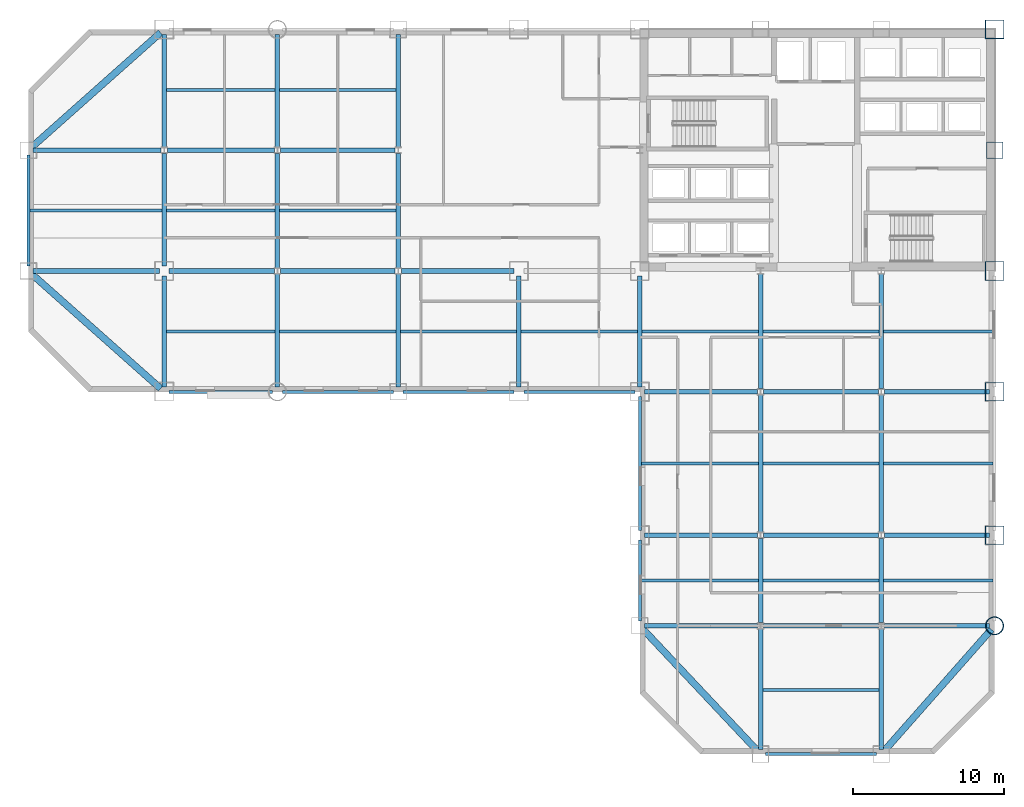
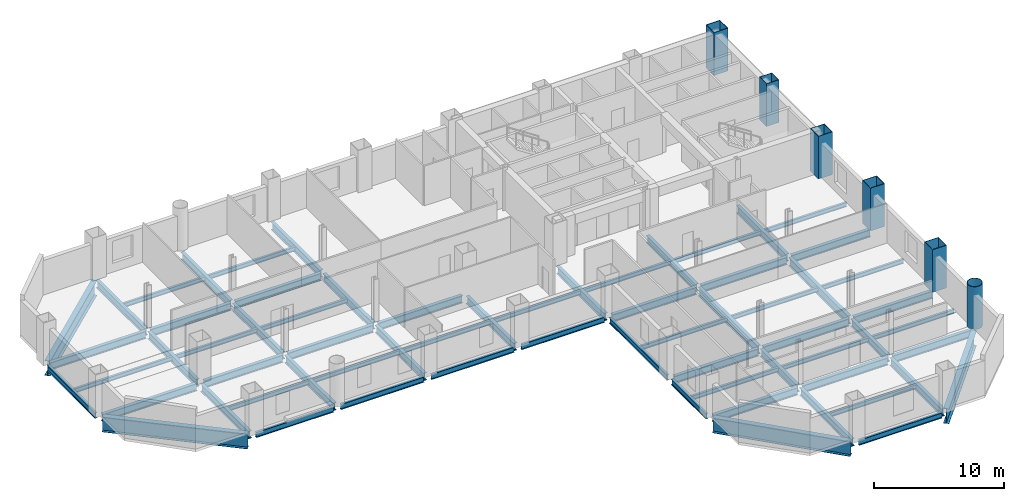
# One storey, part 3 of 9: 66 beams, 6 columns.
"""IFC4 building model written with IfcOpenShell, lengths in metres."""

from ifc_helpers import new_model, si_unit, direction, frame, origin, origin_2d, place, context, subcontext, project, spatial, hollow_rectangle, hollow_circle, i_section, extrude, material, material_profile, profile_set, type_object, element, save


model = new_model("IFC4")

# Units and contexts
model_context = context("Model", 3, precision=1e-05, world=origin(), true_north=direction((0.0, 1.0)))
body_context = subcontext(model_context, "Body", "Model", "MODEL_VIEW")
ifc_project = project(units=[si_unit("LENGTHUNIT", "METRE"), si_unit("AREAUNIT", "SQUARE_METRE"), si_unit("VOLUMEUNIT", "CUBIC_METRE"), si_unit("PLANEANGLEUNIT", "RADIAN"), si_unit("MASSUNIT", "GRAM", prefix="KILO")], contexts=[model_context])

# Site, building, storey
site_placement = place(None, origin())
site = spatial("IfcSite", under=ifc_project, at=site_placement, CompositionType="ELEMENT")
building_placement = place(site_placement, origin())
building = spatial("IfcBuilding", under=site, at=building_placement, Name="Qianrong Seaharbour Tower", CompositionType="ELEMENT")
storey_placement = place(building_placement, frame((0.0, 0.0, 88.199951171875)))
storey = spatial("IfcBuildingStorey", under=building, at=storey_placement, Name="L21", CompositionType="ELEMENT", Elevation=88.199951171875)

# Columns
ifc_material_1 = material(Name="Structural steel SN490B", Category="steel")
ifc_material_profile_1 = material_profile(ifc_material_1, hollow_rectangle(XDim=1.25, YDim=1.25, WallThickness=0.044921875, at=origin_2d()), Name="BOX1250x1250x45")
ifc_profile_set_1 = profile_set([ifc_material_profile_1], Name="Structural steel SN490B")
column_type_1 = type_object("IfcColumnType", Name="COL-CFT-1250", PredefinedType="COLUMN", material=ifc_profile_set_1)
for number, where, z_axis, x_axis, name in (
    (1, (64.0, 18.5, 0.0), (0.0, 0.0, 1.0), (1.0, 0.0, 0.0), "L21 Column MC-2 at G9/GD"),
    (2, (64.0, 28.0, 0.0), (0.0, 0.0, 1.0), (1.0, 0.0, 0.0), "L21 Column MC-2 at G9/GE"),
    (3, (64.0, 36.0, 0.0), (0.0, 0.0, 1.0), (1.0, 0.0, 0.0), "L21 Column MC-2 at G9/GF"),
    (4, (64.0, 52.0, 0.0), (0.0, 0.0, 1.0), (1.0, 0.0, 0.0), "L21 Column MC-2 at G9/GH"),
):
    element("IfcColumn", number, at=place(storey_placement, frame(where, z_axis=z_axis, x_axis=x_axis)), inside=storey, type_object=column_type_1, Name=name, PredefinedType="COLUMN", context=body_context, shape_type="SweptSolid", body=[
        extrude(hollow_rectangle(XDim=1.25, YDim=1.25, WallThickness=0.044921875, at=origin_2d()), origin(), (0.0, 0.0, 1.0), 4.0),
    ])
ifc_material_profile_2 = material_profile(ifc_material_1, hollow_circle(Radius=0.60009765625, WallThickness=0.0400390625, at=origin_2d()), Name="CHS1200x40")
ifc_profile_set_2 = profile_set([ifc_material_profile_2], Name="Structural steel SN490B")
column_type_2 = type_object("IfcColumnType", Name="COL-CHS-1200", PredefinedType="COLUMN", material=ifc_profile_set_2)
column_1_placement = place(storey_placement, frame((64.0, 12.5, 0.0), z_axis=(0.0, 0.0, 1.0), x_axis=(1.0, 0.0, 0.0)))
element("IfcColumn", 5, at=column_1_placement, inside=storey, type_object=column_type_2, Name="L21 Column CC-1 at G9/GC", PredefinedType="COLUMN", context=body_context, shape_type="SweptSolid", body=[
    extrude(hollow_circle(Radius=0.60009765625, WallThickness=0.0400390625, at=origin_2d()), origin(), (0.0, 0.0, 1.0), 4.0),
])
ifc_material_profile_3 = material_profile(ifc_material_1, hollow_rectangle(XDim=1.10009765625, YDim=1.10009765625, WallThickness=0.0400390625, at=origin_2d()), Name="BOX1100x1100x40")
ifc_profile_set_3 = profile_set([ifc_material_profile_3], Name="Structural steel SN490B")
column_type_3 = type_object("IfcColumnType", Name="COL-PER-1100", PredefinedType="COLUMN", material=ifc_profile_set_3)
column_2_placement = place(storey_placement, frame((64.0, 44.0, 0.0), z_axis=(0.0, 0.0, 1.0), x_axis=(1.0, 0.0, 0.0)))
element("IfcColumn", 6, at=column_2_placement, inside=storey, type_object=column_type_3, Name="L21 Column PC-1 at G9/GG", PredefinedType="COLUMN", context=body_context, shape_type="SweptSolid", body=[
    extrude(hollow_rectangle(XDim=1.10009765625, YDim=1.10009765625, WallThickness=0.0400390625, at=origin_2d()), origin(), (0.0, 0.0, 1.0), 4.0),
])

# Beams
ifc_material_profile_4 = material_profile(ifc_material_1, i_section(OverallWidth=0.300048828125, OverallDepth=0.699951171875, WebThickness=0.012939453125, FlangeThickness=0.02392578125, FilletRadius=0.02587890625, at=origin_2d()), Name="H700x300x13x24")
ifc_profile_set_4 = profile_set([ifc_material_profile_4], Name="Structural steel SN490B")
beam_type_1 = type_object("IfcBeamType", Name="BM-G-700", PredefinedType="BEAM", material=ifc_profile_set_4)
beam_1_placement = place(storey_placement, frame((40.820068359375, 12.5, -0.599853515625), z_axis=(1.0, 0.0, 0.0), x_axis=(0.0, 1.0, 0.0)))
element("IfcBeam", 7, at=beam_1_placement, inside=storey, type_object=beam_type_1, Name="L21 Primary Girder GC G6-G7", PredefinedType="BEAM", context=body_context, shape_type="SweptSolid", body=[
    extrude(i_section(OverallWidth=0.300048828125, OverallDepth=0.699951171875, WebThickness=0.012939453125, FlangeThickness=0.02392578125, FilletRadius=0.02587890625, at=origin_2d()), origin(), (0.0, 0.0, 1.0), 7.476318359375),
])
beam_2_placement = place(storey_placement, frame((48.70361328125, 12.5, -0.599853515625), z_axis=(1.0, 0.0, 0.0), x_axis=(0.0, 1.0, 0.0)))
element("IfcBeam", 8, at=beam_2_placement, inside=storey, type_object=beam_type_1, Name="L21 Primary Girder GC G7-G8", PredefinedType="BEAM", context=body_context, shape_type="SweptSolid", body=[
    extrude(i_section(OverallWidth=0.300048828125, OverallDepth=0.699951171875, WebThickness=0.012939453125, FlangeThickness=0.02392578125, FilletRadius=0.02587890625, at=origin_2d()), origin(), (0.0, 0.0, 1.0), 7.5927734375),
])
beam_3_placement = place(storey_placement, frame((56.70361328125, 12.5, -0.599853515625), z_axis=(1.0, 0.0, 0.0), x_axis=(0.0, 1.0, 0.0)))
element("IfcBeam", 9, at=beam_3_placement, inside=storey, type_object=beam_type_1, Name="L21 Primary Girder GC G8-G9", PredefinedType="BEAM", context=body_context, shape_type="SweptSolid", body=[
    extrude(i_section(OverallWidth=0.300048828125, OverallDepth=0.699951171875, WebThickness=0.012939453125, FlangeThickness=0.02392578125, FilletRadius=0.02587890625, at=origin_2d()), origin(), (0.0, 0.0, 1.0), 6.976318359375),
])
beam_4_placement = place(storey_placement, frame((40.820068359375, 18.5, -0.599853515625), z_axis=(1.0, 0.0, 0.0), x_axis=(0.0, 1.0, 0.0)))
element("IfcBeam", 10, at=beam_4_placement, inside=storey, type_object=beam_type_1, Name="L21 Primary Girder GD G6-G7", PredefinedType="BEAM", context=body_context, shape_type="SweptSolid", body=[
    extrude(i_section(OverallWidth=0.300048828125, OverallDepth=0.699951171875, WebThickness=0.012939453125, FlangeThickness=0.02392578125, FilletRadius=0.02587890625, at=origin_2d()), origin(), (0.0, 0.0, 1.0), 7.476318359375),
])
beam_5_placement = place(storey_placement, frame((48.70361328125, 18.5, -0.599853515625), z_axis=(1.0, 0.0, 0.0), x_axis=(0.0, 1.0, 0.0)))
element("IfcBeam", 11, at=beam_5_placement, inside=storey, type_object=beam_type_1, Name="L21 Primary Girder GD G7-G8", PredefinedType="BEAM", context=body_context, shape_type="SweptSolid", body=[
    extrude(i_section(OverallWidth=0.300048828125, OverallDepth=0.699951171875, WebThickness=0.012939453125, FlangeThickness=0.02392578125, FilletRadius=0.02587890625, at=origin_2d()), origin(), (0.0, 0.0, 1.0), 7.5927734375),
])
beam_6_placement = place(storey_placement, frame((56.70361328125, 18.5, -0.599853515625), z_axis=(1.0, 0.0, 0.0), x_axis=(0.0, 1.0, 0.0)))
element("IfcBeam", 12, at=beam_6_placement, inside=storey, type_object=beam_type_1, Name="L21 Primary Girder GD G8-G9", PredefinedType="BEAM", context=body_context, shape_type="SweptSolid", body=[
    extrude(i_section(OverallWidth=0.300048828125, OverallDepth=0.699951171875, WebThickness=0.012939453125, FlangeThickness=0.02392578125, FilletRadius=0.02587890625, at=origin_2d()), origin(), (0.0, 0.0, 1.0), 6.976318359375),
])
beam_7_placement = place(storey_placement, frame((40.820068359375, 28.0, -0.599853515625), z_axis=(1.0, 0.0, 0.0), x_axis=(0.0, 1.0, 0.0)))
element("IfcBeam", 13, at=beam_7_placement, inside=storey, type_object=beam_type_1, Name="L21 Primary Girder GE G6-G7", PredefinedType="BEAM", context=body_context, shape_type="SweptSolid", body=[
    extrude(i_section(OverallWidth=0.300048828125, OverallDepth=0.699951171875, WebThickness=0.012939453125, FlangeThickness=0.02392578125, FilletRadius=0.02587890625, at=origin_2d()), origin(), (0.0, 0.0, 1.0), 7.476318359375),
])
beam_8_placement = place(storey_placement, frame((48.70361328125, 28.0, -0.599853515625), z_axis=(1.0, 0.0, 0.0), x_axis=(0.0, 1.0, 0.0)))
element("IfcBeam", 14, at=beam_8_placement, inside=storey, type_object=beam_type_1, Name="L21 Primary Girder GE G7-G8", PredefinedType="BEAM", context=body_context, shape_type="SweptSolid", body=[
    extrude(i_section(OverallWidth=0.300048828125, OverallDepth=0.699951171875, WebThickness=0.012939453125, FlangeThickness=0.02392578125, FilletRadius=0.02587890625, at=origin_2d()), origin(), (0.0, 0.0, 1.0), 7.5927734375),
])
beam_9_placement = place(storey_placement, frame((56.70361328125, 28.0, -0.599853515625), z_axis=(1.0, 0.0, 0.0), x_axis=(0.0, 1.0, 0.0)))
element("IfcBeam", 15, at=beam_9_placement, inside=storey, type_object=beam_type_1, Name="L21 Primary Girder GE G8-G9", PredefinedType="BEAM", context=body_context, shape_type="SweptSolid", body=[
    extrude(i_section(OverallWidth=0.300048828125, OverallDepth=0.699951171875, WebThickness=0.012939453125, FlangeThickness=0.02392578125, FilletRadius=0.02587890625, at=origin_2d()), origin(), (0.0, 0.0, 1.0), 6.976318359375),
])
beam_10_placement = place(storey_placement, frame((0.320068359375, 36.0, -0.599853515625), z_axis=(1.0, 0.0, 0.0), x_axis=(0.0, 1.0, 0.0)))
element("IfcBeam", 16, at=beam_10_placement, inside=storey, type_object=beam_type_1, Name="L21 Primary Girder GF G1-G2", PredefinedType="BEAM", context=body_context, shape_type="SweptSolid", body=[
    extrude(i_section(OverallWidth=0.300048828125, OverallDepth=0.699951171875, WebThickness=0.012939453125, FlangeThickness=0.02392578125, FilletRadius=0.02587890625, at=origin_2d()), origin(), (0.0, 0.0, 1.0), 8.35986328125),
])
beam_11_placement = place(storey_placement, frame((9.320068359375, 36.0, -0.599853515625), z_axis=(1.0, 0.0, 0.0), x_axis=(0.0, 1.0, 0.0)))
element("IfcBeam", 17, at=beam_11_placement, inside=storey, type_object=beam_type_1, Name="L21 Primary Girder GF G2-G3", PredefinedType="BEAM", context=body_context, shape_type="SweptSolid", body=[
    extrude(i_section(OverallWidth=0.300048828125, OverallDepth=0.699951171875, WebThickness=0.012939453125, FlangeThickness=0.02392578125, FilletRadius=0.02587890625, at=origin_2d()), origin(), (0.0, 0.0, 1.0), 6.976318359375),
])
beam_12_placement = place(storey_placement, frame((16.70361328125, 36.0, -0.599853515625), z_axis=(1.0, 0.0, 0.0), x_axis=(0.0, 1.0, 0.0)))
element("IfcBeam", 18, at=beam_12_placement, inside=storey, type_object=beam_type_1, Name="L21 Primary Girder GF G3-G4", PredefinedType="BEAM", context=body_context, shape_type="SweptSolid", body=[
    extrude(i_section(OverallWidth=0.300048828125, OverallDepth=0.699951171875, WebThickness=0.012939453125, FlangeThickness=0.02392578125, FilletRadius=0.02587890625, at=origin_2d()), origin(), (0.0, 0.0, 1.0), 7.5927734375),
])
beam_13_placement = place(storey_placement, frame((24.70361328125, 36.0, -0.599853515625), z_axis=(1.0, 0.0, 0.0), x_axis=(0.0, 1.0, 0.0)))
element("IfcBeam", 19, at=beam_13_placement, inside=storey, type_object=beam_type_1, Name="L21 Primary Girder GF G4-G5", PredefinedType="BEAM", context=body_context, shape_type="SweptSolid", body=[
    extrude(i_section(OverallWidth=0.300048828125, OverallDepth=0.699951171875, WebThickness=0.012939453125, FlangeThickness=0.02392578125, FilletRadius=0.02587890625, at=origin_2d()), origin(), (0.0, 0.0, 1.0), 7.476318359375),
])
beam_14_placement = place(storey_placement, frame((0.320068359375, 44.0, -0.599853515625), z_axis=(1.0, 0.0, 0.0), x_axis=(0.0, 1.0, 0.0)))
element("IfcBeam", 20, at=beam_14_placement, inside=storey, type_object=beam_type_1, Name="L21 Primary Girder GG G1-G2", PredefinedType="BEAM", context=body_context, shape_type="SweptSolid", body=[
    extrude(i_section(OverallWidth=0.300048828125, OverallDepth=0.699951171875, WebThickness=0.012939453125, FlangeThickness=0.02392578125, FilletRadius=0.02587890625, at=origin_2d()), origin(), (0.0, 0.0, 1.0), 8.476318359375),
])
beam_15_placement = place(storey_placement, frame((9.20361328125, 44.0, -0.599853515625), z_axis=(1.0, 0.0, 0.0), x_axis=(0.0, 1.0, 0.0)))
element("IfcBeam", 21, at=beam_15_placement, inside=storey, type_object=beam_type_1, Name="L21 Primary Girder GG G2-G3", PredefinedType="BEAM", context=body_context, shape_type="SweptSolid", body=[
    extrude(i_section(OverallWidth=0.300048828125, OverallDepth=0.699951171875, WebThickness=0.012939453125, FlangeThickness=0.02392578125, FilletRadius=0.02587890625, at=origin_2d()), origin(), (0.0, 0.0, 1.0), 7.0927734375),
])
beam_16_placement = place(storey_placement, frame((16.70361328125, 44.0, -0.599853515625), z_axis=(1.0, 0.0, 0.0), x_axis=(0.0, 1.0, 0.0)))
element("IfcBeam", 22, at=beam_16_placement, inside=storey, type_object=beam_type_1, Name="L21 Primary Girder GG G3-G4", PredefinedType="BEAM", context=body_context, shape_type="SweptSolid", body=[
    extrude(i_section(OverallWidth=0.300048828125, OverallDepth=0.699951171875, WebThickness=0.012939453125, FlangeThickness=0.02392578125, FilletRadius=0.02587890625, at=origin_2d()), origin(), (0.0, 0.0, 1.0), 7.5927734375),
])
beam_17_placement = place(storey_placement, frame((9.0, 28.320068359375, -0.599853515625), z_axis=(0.0, 1.0, 0.0), x_axis=(-1.0, 0.0, 0.0)))
element("IfcBeam", 23, at=beam_17_placement, inside=storey, type_object=beam_type_1, Name="L21 Primary Girder G2 GE-GF", PredefinedType="BEAM", context=body_context, shape_type="SweptSolid", body=[
    extrude(i_section(OverallWidth=0.300048828125, OverallDepth=0.699951171875, WebThickness=0.012939453125, FlangeThickness=0.02392578125, FilletRadius=0.02587890625, at=origin_2d()), origin(), (0.0, 0.0, 1.0), 7.35986328125),
])
for number, where, z_axis, x_axis, name in (
    (24, (9.0, 36.320068359375, -0.599853515625), (0.0, 1.0, 0.0), (-1.0, 0.0, 0.0), "L21 Primary Girder G2 GF-GG"),
    (25, (9.0, 44.214111328125, -0.599853515625), (0.0, 1.0, 0.0), (-1.0, 0.0, 0.0), "L21 Primary Girder G2 GG-GH"),
    (26, (16.5, 28.320068359375, -0.599853515625), (0.0, 1.0, 0.0), (-1.0, 0.0, 0.0), "L21 Primary Girder G3 GE-GF"),
):
    element("IfcBeam", number, at=place(storey_placement, frame(where, z_axis=z_axis, x_axis=x_axis)), inside=storey, type_object=beam_type_1, Name=name, PredefinedType="BEAM", context=body_context, shape_type="SweptSolid", body=[
        extrude(i_section(OverallWidth=0.300048828125, OverallDepth=0.699951171875, WebThickness=0.012939453125, FlangeThickness=0.02392578125, FilletRadius=0.02587890625, at=origin_2d()), origin(), (0.0, 0.0, 1.0), 7.4658203125),
    ])
beam_18_placement = place(storey_placement, frame((16.5, 36.214111328125, -0.599853515625), z_axis=(0.0, 1.0, 0.0), x_axis=(-1.0, 0.0, 0.0)))
element("IfcBeam", 27, at=beam_18_placement, inside=storey, type_object=beam_type_1, Name="L21 Primary Girder G3 GF-GG", PredefinedType="BEAM", context=body_context, shape_type="SweptSolid", body=[
    extrude(i_section(OverallWidth=0.300048828125, OverallDepth=0.699951171875, WebThickness=0.012939453125, FlangeThickness=0.02392578125, FilletRadius=0.02587890625, at=origin_2d()), origin(), (0.0, 0.0, 1.0), 7.57177734375),
])
for number, where, z_axis, x_axis, name in (
    (28, (16.5, 44.214111328125, -0.599853515625), (0.0, 1.0, 0.0), (-1.0, 0.0, 0.0), "L21 Primary Girder G3 GG-GH"),
    (29, (24.5, 28.320068359375, -0.599853515625), (0.0, 1.0, 0.0), (-1.0, 0.0, 0.0), "L21 Primary Girder G4 GE-GF"),
):
    element("IfcBeam", number, at=place(storey_placement, frame(where, z_axis=z_axis, x_axis=x_axis)), inside=storey, type_object=beam_type_1, Name=name, PredefinedType="BEAM", context=body_context, shape_type="SweptSolid", body=[
        extrude(i_section(OverallWidth=0.300048828125, OverallDepth=0.699951171875, WebThickness=0.012939453125, FlangeThickness=0.02392578125, FilletRadius=0.02587890625, at=origin_2d()), origin(), (0.0, 0.0, 1.0), 7.4658203125),
    ])
beam_19_placement = place(storey_placement, frame((24.5, 36.214111328125, -0.599853515625), z_axis=(0.0, 1.0, 0.0), x_axis=(-1.0, 0.0, 0.0)))
element("IfcBeam", 30, at=beam_19_placement, inside=storey, type_object=beam_type_1, Name="L21 Primary Girder G4 GF-GG", PredefinedType="BEAM", context=body_context, shape_type="SweptSolid", body=[
    extrude(i_section(OverallWidth=0.300048828125, OverallDepth=0.699951171875, WebThickness=0.012939453125, FlangeThickness=0.02392578125, FilletRadius=0.02587890625, at=origin_2d()), origin(), (0.0, 0.0, 1.0), 7.57177734375),
])
beam_20_placement = place(storey_placement, frame((24.5, 44.214111328125, -0.599853515625), z_axis=(0.0, 1.0, 0.0), x_axis=(-1.0, 0.0, 0.0)))
element("IfcBeam", 31, at=beam_20_placement, inside=storey, type_object=beam_type_1, Name="L21 Primary Girder G4 GG-GH", PredefinedType="BEAM", context=body_context, shape_type="SweptSolid", body=[
    extrude(i_section(OverallWidth=0.300048828125, OverallDepth=0.699951171875, WebThickness=0.012939453125, FlangeThickness=0.02392578125, FilletRadius=0.02587890625, at=origin_2d()), origin(), (0.0, 0.0, 1.0), 7.4658203125),
])
for number, where, z_axis, x_axis, name in (
    (32, (32.5, 28.320068359375, -0.599853515625), (0.0, 1.0, 0.0), (-1.0, 0.0, 0.0), "L21 Primary Girder G5 GE-GF"),
    (33, (40.5, 28.320068359375, -0.599853515625), (0.0, 1.0, 0.0), (-1.0, 0.0, 0.0), "L21 Primary Girder G6 GE-GF"),
):
    element("IfcBeam", number, at=place(storey_placement, frame(where, z_axis=z_axis, x_axis=x_axis)), inside=storey, type_object=beam_type_1, Name=name, PredefinedType="BEAM", context=body_context, shape_type="SweptSolid", body=[
        extrude(i_section(OverallWidth=0.300048828125, OverallDepth=0.699951171875, WebThickness=0.012939453125, FlangeThickness=0.02392578125, FilletRadius=0.02587890625, at=origin_2d()), origin(), (0.0, 0.0, 1.0), 7.35986328125),
    ])
beam_21_placement = place(storey_placement, frame((48.5, 4.320068359375, -0.599853515625), z_axis=(0.0, 1.0, 0.0), x_axis=(-1.0, 0.0, 0.0)))
element("IfcBeam", 34, at=beam_21_placement, inside=storey, type_object=beam_type_1, Name="L21 Primary Girder G7 GB-GC", PredefinedType="BEAM", context=body_context, shape_type="SweptSolid", body=[
    extrude(i_section(OverallWidth=0.300048828125, OverallDepth=0.699951171875, WebThickness=0.012939453125, FlangeThickness=0.02392578125, FilletRadius=0.02587890625, at=origin_2d()), origin(), (0.0, 0.0, 1.0), 7.9658203125),
])
beam_22_placement = place(storey_placement, frame((48.5, 12.714111328125, -0.599853515625), z_axis=(0.0, 1.0, 0.0), x_axis=(-1.0, 0.0, 0.0)))
element("IfcBeam", 35, at=beam_22_placement, inside=storey, type_object=beam_type_1, Name="L21 Primary Girder G7 GC-GD", PredefinedType="BEAM", context=body_context, shape_type="SweptSolid", body=[
    extrude(i_section(OverallWidth=0.300048828125, OverallDepth=0.699951171875, WebThickness=0.012939453125, FlangeThickness=0.02392578125, FilletRadius=0.02587890625, at=origin_2d()), origin(), (0.0, 0.0, 1.0), 5.57177734375),
])
beam_23_placement = place(storey_placement, frame((48.5, 28.214111328125, -0.599853515625), z_axis=(0.0, 1.0, 0.0), x_axis=(-1.0, 0.0, 0.0)))
element("IfcBeam", 36, at=beam_23_placement, inside=storey, type_object=beam_type_1, Name="L21 Primary Girder G7 GE-GF", PredefinedType="BEAM", context=body_context, shape_type="SweptSolid", body=[
    extrude(i_section(OverallWidth=0.300048828125, OverallDepth=0.699951171875, WebThickness=0.012939453125, FlangeThickness=0.02392578125, FilletRadius=0.02587890625, at=origin_2d()), origin(), (0.0, 0.0, 1.0), 7.57177734375),
])
beam_24_placement = place(storey_placement, frame((56.5, 4.320068359375, -0.599853515625), z_axis=(0.0, 1.0, 0.0), x_axis=(-1.0, 0.0, 0.0)))
element("IfcBeam", 37, at=beam_24_placement, inside=storey, type_object=beam_type_1, Name="L21 Primary Girder G8 GB-GC", PredefinedType="BEAM", context=body_context, shape_type="SweptSolid", body=[
    extrude(i_section(OverallWidth=0.300048828125, OverallDepth=0.699951171875, WebThickness=0.012939453125, FlangeThickness=0.02392578125, FilletRadius=0.02587890625, at=origin_2d()), origin(), (0.0, 0.0, 1.0), 7.9658203125),
])
beam_25_placement = place(storey_placement, frame((56.5, 12.714111328125, -0.599853515625), z_axis=(0.0, 1.0, 0.0), x_axis=(-1.0, 0.0, 0.0)))
element("IfcBeam", 38, at=beam_25_placement, inside=storey, type_object=beam_type_1, Name="L21 Primary Girder G8 GC-GD", PredefinedType="BEAM", context=body_context, shape_type="SweptSolid", body=[
    extrude(i_section(OverallWidth=0.300048828125, OverallDepth=0.699951171875, WebThickness=0.012939453125, FlangeThickness=0.02392578125, FilletRadius=0.02587890625, at=origin_2d()), origin(), (0.0, 0.0, 1.0), 5.57177734375),
])
beam_26_placement = place(storey_placement, frame((56.5, 28.214111328125, -0.599853515625), z_axis=(0.0, 1.0, 0.0), x_axis=(-1.0, 0.0, 0.0)))
element("IfcBeam", 39, at=beam_26_placement, inside=storey, type_object=beam_type_1, Name="L21 Primary Girder G8 GE-GF", PredefinedType="BEAM", context=body_context, shape_type="SweptSolid", body=[
    extrude(i_section(OverallWidth=0.300048828125, OverallDepth=0.699951171875, WebThickness=0.012939453125, FlangeThickness=0.02392578125, FilletRadius=0.02587890625, at=origin_2d()), origin(), (0.0, 0.0, 1.0), 7.57177734375),
])
ifc_material_profile_5 = material_profile(ifc_material_1, i_section(OverallWidth=0.300048828125, OverallDepth=0.800048828125, WebThickness=0.013916015625, FlangeThickness=0.02587890625, FilletRadius=0.028076171875, at=origin_2d()), Name="H800x300x14x26")
ifc_profile_set_5 = profile_set([ifc_material_profile_5], Name="Structural steel SN490B")
beam_type_2 = type_object("IfcBeamType", Name="BM-G-800", PredefinedType="BEAM", material=ifc_profile_set_5)
for number, where, z_axis, x_axis, name in (
    (40, (48.5, 18.714111328125, -0.64990234375), (0.0, 1.0, 0.0), (-1.0, 0.0, 0.0), "L21 Primary Girder G7 GD-GE"),
    (41, (56.5, 18.714111328125, -0.64990234375), (0.0, 1.0, 0.0), (-1.0, 0.0, 0.0), "L21 Primary Girder G8 GD-GE"),
):
    element("IfcBeam", number, at=place(storey_placement, frame(where, z_axis=z_axis, x_axis=x_axis)), inside=storey, type_object=beam_type_2, Name=name, PredefinedType="BEAM", context=body_context, shape_type="SweptSolid", body=[
        extrude(i_section(OverallWidth=0.300048828125, OverallDepth=0.800048828125, WebThickness=0.013916015625, FlangeThickness=0.02587890625, FilletRadius=0.028076171875, at=origin_2d()), origin(), (0.0, 0.0, 1.0), 9.07177734375),
    ])
ifc_material_2 = material(Name="Structural steel SN400B", Category="steel")
ifc_material_profile_6 = material_profile(ifc_material_2, i_section(OverallWidth=0.199951171875, OverallDepth=0.39990234375, WebThickness=0.008056640625, FlangeThickness=0.012939453125, FilletRadius=0.01611328125, at=origin_2d()), Name="H400x200x8x13")
ifc_profile_set_6 = profile_set([ifc_material_profile_6], Name="Structural steel SN400B")
beam_type_3 = type_object("IfcBeamType", Name="BM-J-400", PredefinedType="JOIST", material=ifc_profile_set_6)
beam_27_placement = place(storey_placement, frame((0.10009765625, 40.0, -0.449951171875), z_axis=(1.0, 0.0, 0.0), x_axis=(0.0, 1.0, 0.0)))
element("IfcBeam", 42, at=beam_27_placement, inside=storey, type_object=beam_type_3, Name="L21 Composite Floor Joist G1-G2/GF-GG", PredefinedType="JOIST", context=body_context, shape_type="SweptSolid", body=[
    extrude(i_section(OverallWidth=0.199951171875, OverallDepth=0.39990234375, WebThickness=0.008056640625, FlangeThickness=0.012939453125, FilletRadius=0.01611328125, at=origin_2d()), origin(), (0.0, 0.0, 1.0), 8.75),
])
for number, where, z_axis, x_axis, name in (
    (43, (9.14990234375, 32.0, -0.449951171875), (1.0, 0.0, 0.0), (0.0, 1.0, 0.0), "L21 Composite Floor Joist G2-G3/GE-GF"),
    (44, (9.14990234375, 40.0, -0.449951171875), (1.0, 0.0, 0.0), (0.0, 1.0, 0.0), "L21 Composite Floor Joist G2-G3/GF-GG"),
    (45, (9.14990234375, 48.0, -0.449951171875), (1.0, 0.0, 0.0), (0.0, 1.0, 0.0), "L21 Composite Floor Joist G2-G3/GG-GH"),
):
    element("IfcBeam", number, at=place(storey_placement, frame(where, z_axis=z_axis, x_axis=x_axis)), inside=storey, type_object=beam_type_3, Name=name, PredefinedType="JOIST", context=body_context, shape_type="SweptSolid", body=[
        extrude(i_section(OverallWidth=0.199951171875, OverallDepth=0.39990234375, WebThickness=0.008056640625, FlangeThickness=0.012939453125, FilletRadius=0.01611328125, at=origin_2d()), origin(), (0.0, 0.0, 1.0), 7.2001953125),
    ])
for number, where, z_axis, x_axis, name in (
    (46, (16.64990234375, 32.0, -0.449951171875), (1.0, 0.0, 0.0), (0.0, 1.0, 0.0), "L21 Composite Floor Joist G3-G4/GE-GF"),
    (47, (16.64990234375, 40.0, -0.449951171875), (1.0, 0.0, 0.0), (0.0, 1.0, 0.0), "L21 Composite Floor Joist G3-G4/GF-GG"),
    (48, (16.64990234375, 48.0, -0.449951171875), (1.0, 0.0, 0.0), (0.0, 1.0, 0.0), "L21 Composite Floor Joist G3-G4/GG-GH"),
    (49, (24.64990234375, 32.0, -0.449951171875), (1.0, 0.0, 0.0), (0.0, 1.0, 0.0), "L21 Composite Floor Joist G4-G5/GE-GF"),
    (50, (32.64990234375, 32.0, -0.449951171875), (1.0, 0.0, 0.0), (0.0, 1.0, 0.0), "L21 Composite Floor Joist G5-G6/GE-GF"),
):
    element("IfcBeam", number, at=place(storey_placement, frame(where, z_axis=z_axis, x_axis=x_axis)), inside=storey, type_object=beam_type_3, Name=name, PredefinedType="JOIST", context=body_context, shape_type="SweptSolid", body=[
        extrude(i_section(OverallWidth=0.199951171875, OverallDepth=0.39990234375, WebThickness=0.008056640625, FlangeThickness=0.012939453125, FilletRadius=0.01611328125, at=origin_2d()), origin(), (0.0, 0.0, 1.0), 7.7001953125),
    ])
for number, where, z_axis, x_axis, name in (
    (51, (40.60009765625, 15.5, -0.449951171875), (1.0, 0.0, 0.0), (0.0, 1.0, 0.0), "L21 Composite Floor Joist G6-G7/GC-GD"),
    (52, (40.60009765625, 23.25, -0.449951171875), (1.0, 0.0, 0.0), (0.0, 1.0, 0.0), "L21 Composite Floor Joist G6-G7/GD-GE"),
):
    element("IfcBeam", number, at=place(storey_placement, frame(where, z_axis=z_axis, x_axis=x_axis)), inside=storey, type_object=beam_type_3, Name=name, PredefinedType="JOIST", context=body_context, shape_type="SweptSolid", body=[
        extrude(i_section(OverallWidth=0.199951171875, OverallDepth=0.39990234375, WebThickness=0.008056640625, FlangeThickness=0.012939453125, FilletRadius=0.01611328125, at=origin_2d()), origin(), (0.0, 0.0, 1.0), 7.75),
    ])
for number, where, z_axis, x_axis, name in (
    (53, (40.64990234375, 32.0, -0.449951171875), (1.0, 0.0, 0.0), (0.0, 1.0, 0.0), "L21 Composite Floor Joist G6-G7/GE-GF"),
    (54, (48.64990234375, 8.25, -0.449951171875), (1.0, 0.0, 0.0), (0.0, 1.0, 0.0), "L21 Composite Floor Joist G7-G8/GB-GC"),
    (55, (48.64990234375, 15.5, -0.449951171875), (1.0, 0.0, 0.0), (0.0, 1.0, 0.0), "L21 Composite Floor Joist G7-G8/GC-GD"),
    (56, (48.64990234375, 23.25, -0.449951171875), (1.0, 0.0, 0.0), (0.0, 1.0, 0.0), "L21 Composite Floor Joist G7-G8/GD-GE"),
    (57, (48.64990234375, 32.0, -0.449951171875), (1.0, 0.0, 0.0), (0.0, 1.0, 0.0), "L21 Composite Floor Joist G7-G8/GE-GF"),
):
    element("IfcBeam", number, at=place(storey_placement, frame(where, z_axis=z_axis, x_axis=x_axis)), inside=storey, type_object=beam_type_3, Name=name, PredefinedType="JOIST", context=body_context, shape_type="SweptSolid", body=[
        extrude(i_section(OverallWidth=0.199951171875, OverallDepth=0.39990234375, WebThickness=0.008056640625, FlangeThickness=0.012939453125, FilletRadius=0.01611328125, at=origin_2d()), origin(), (0.0, 0.0, 1.0), 7.7001953125),
    ])
for number, where, z_axis, x_axis, name in (
    (58, (56.64990234375, 15.5, -0.449951171875), (1.0, 0.0, 0.0), (0.0, 1.0, 0.0), "L21 Composite Floor Joist G8-G9/GC-GD"),
    (59, (56.64990234375, 23.25, -0.449951171875), (1.0, 0.0, 0.0), (0.0, 1.0, 0.0), "L21 Composite Floor Joist G8-G9/GD-GE"),
    (60, (56.64990234375, 32.0, -0.449951171875), (1.0, 0.0, 0.0), (0.0, 1.0, 0.0), "L21 Composite Floor Joist G8-G9/GE-GF"),
):
    element("IfcBeam", number, at=place(storey_placement, frame(where, z_axis=z_axis, x_axis=x_axis)), inside=storey, type_object=beam_type_3, Name=name, PredefinedType="JOIST", context=body_context, shape_type="SweptSolid", body=[
        extrude(i_section(OverallWidth=0.199951171875, OverallDepth=0.39990234375, WebThickness=0.008056640625, FlangeThickness=0.012939453125, FilletRadius=0.01611328125, at=origin_2d()), origin(), (0.0, 0.0, 1.0), 7.25),
    ])
ifc_material_profile_7 = material_profile(ifc_material_1, i_section(OverallWidth=0.199951171875, OverallDepth=0.5, WebThickness=0.010009765625, FlangeThickness=0.01611328125, FilletRadius=0.02001953125, at=origin_2d()), Name="H500x200x10x16")
ifc_profile_set_7 = profile_set([ifc_material_profile_7], Name="Structural steel SN490B")
beam_type_4 = type_object("IfcBeamType", Name="BM-SP-500", PredefinedType="SPANDREL", material=ifc_profile_set_7)
beam_28_placement = place(storey_placement, frame((48.820068359375, 4.0, -0.5), z_axis=(1.0, 0.0, 0.0), x_axis=(0.0, 1.0, 0.0)))
element("IfcBeam", 61, at=beam_28_placement, inside=storey, type_object=beam_type_4, Name="L21 Spandrel Girder GB G7-G8", PredefinedType="SPANDREL", context=body_context, shape_type="SweptSolid", body=[
    extrude(i_section(OverallWidth=0.199951171875, OverallDepth=0.5, WebThickness=0.010009765625, FlangeThickness=0.01611328125, FilletRadius=0.02001953125, at=origin_2d()), origin(), (0.0, 0.0, 1.0), 7.35986328125),
])
beam_29_placement = place(storey_placement, frame((9.320068359375, 28.0, -0.5), z_axis=(1.0, 0.0, 0.0), x_axis=(0.0, 1.0, 0.0)))
element("IfcBeam", 62, at=beam_29_placement, inside=storey, type_object=beam_type_4, Name="L21 Spandrel Girder GE G2-G3", PredefinedType="SPANDREL", context=body_context, shape_type="SweptSolid", body=[
    extrude(i_section(OverallWidth=0.199951171875, OverallDepth=0.5, WebThickness=0.010009765625, FlangeThickness=0.01611328125, FilletRadius=0.02001953125, at=origin_2d()), origin(), (0.0, 0.0, 1.0), 6.85986328125),
])
for number, where, z_axis, x_axis, name in (
    (63, (16.820068359375, 28.0, -0.5), (1.0, 0.0, 0.0), (0.0, 1.0, 0.0), "L21 Spandrel Girder GE G3-G4"),
    (64, (24.820068359375, 28.0, -0.5), (1.0, 0.0, 0.0), (0.0, 1.0, 0.0), "L21 Spandrel Girder GE G4-G5"),
    (65, (32.820068359375, 28.0, -0.5), (1.0, 0.0, 0.0), (0.0, 1.0, 0.0), "L21 Spandrel Girder GE G5-G6"),
    (66, (0.0, 36.320068359375, -0.5), (0.0, 1.0, 0.0), (-1.0, 0.0, 0.0), "L21 Spandrel Girder G1 GF-GG"),
):
    element("IfcBeam", number, at=place(storey_placement, frame(where, z_axis=z_axis, x_axis=x_axis)), inside=storey, type_object=beam_type_4, Name=name, PredefinedType="SPANDREL", context=body_context, shape_type="SweptSolid", body=[
        extrude(i_section(OverallWidth=0.199951171875, OverallDepth=0.5, WebThickness=0.010009765625, FlangeThickness=0.01611328125, FilletRadius=0.02001953125, at=origin_2d()), origin(), (0.0, 0.0, 1.0), 7.35986328125),
    ])
beam_30_placement = place(storey_placement, frame((40.5, 12.820068359375, -0.5), z_axis=(0.0, 1.0, 0.0), x_axis=(-1.0, 0.0, 0.0)))
element("IfcBeam", 67, at=beam_30_placement, inside=storey, type_object=beam_type_4, Name="L21 Spandrel Girder G6 GC-GD", PredefinedType="SPANDREL", context=body_context, shape_type="SweptSolid", body=[
    extrude(i_section(OverallWidth=0.199951171875, OverallDepth=0.5, WebThickness=0.010009765625, FlangeThickness=0.01611328125, FilletRadius=0.02001953125, at=origin_2d()), origin(), (0.0, 0.0, 1.0), 5.35986328125),
])
beam_31_placement = place(storey_placement, frame((40.5, 18.820068359375, -0.5), z_axis=(0.0, 1.0, 0.0), x_axis=(-1.0, 0.0, 0.0)))
element("IfcBeam", 68, at=beam_31_placement, inside=storey, type_object=beam_type_4, Name="L21 Spandrel Girder G6 GD-GE", PredefinedType="SPANDREL", context=body_context, shape_type="SweptSolid", body=[
    extrude(i_section(OverallWidth=0.199951171875, OverallDepth=0.5, WebThickness=0.010009765625, FlangeThickness=0.01611328125, FilletRadius=0.02001953125, at=origin_2d()), origin(), (0.0, 0.0, 1.0), 8.85986328125),
])
ifc_material_profile_8 = material_profile(ifc_material_1, i_section(OverallWidth=0.449951171875, OverallDepth=1.39990234375, WebThickness=0.02197265625, FlangeThickness=0.0400390625, at=origin_2d()), Name="BH1400x450x22x40")
ifc_profile_set_8 = profile_set([ifc_material_profile_8], Name="Structural steel SN490B")
beam_type_5 = type_object("IfcBeamType", Name="BM-TG-1400", PredefinedType="BEAM", material=ifc_profile_set_8)
for number, where, z_axis, x_axis, name in (
    (69, (8.7607421875, 28.212646484375, -0.949951171875), (-0.747406955841, 0.664366497018, 0.0), (-0.664366497018, -0.747406955841, 0.0), "L21 Chamfer Corner Spandrel Girder G1/GE"),
    (70, (8.7607421875, 51.787353515625, -0.949951171875), (-0.747406955841, -0.664366497018, 0.0), (0.664366497018, -0.747406955841, 0.0), "L21 Chamfer Corner Spandrel Girder G1/GH"),
):
    element("IfcBeam", number, at=place(storey_placement, frame(where, z_axis=z_axis, x_axis=x_axis)), inside=storey, type_object=beam_type_5, Name=name, PredefinedType="BEAM", context=body_context, shape_type="SweptSolid", body=[
        extrude(i_section(OverallWidth=0.449951171875, OverallDepth=1.39990234375, WebThickness=0.02197265625, FlangeThickness=0.0400390625, at=origin_2d()), origin(), (0.0, 0.0, 1.0), 11.4013671875),
    ])
beam_32_placement = place(storey_placement, frame((48.28076171875, 4.23291015625, -0.949951171875), z_axis=(-0.685361938021, 0.728202591256, 0.0), x_axis=(-0.728202591256, -0.685361938021, 0.0)))
element("IfcBeam", 71, at=beam_32_placement, inside=storey, type_object=beam_type_5, Name="L21 Chamfer Corner Spandrel Girder G6/GB", PredefinedType="BEAM", context=body_context, shape_type="SweptSolid", body=[
    extrude(i_section(OverallWidth=0.449951171875, OverallDepth=1.39990234375, WebThickness=0.02197265625, FlangeThickness=0.0400390625, at=origin_2d()), origin(), (0.0, 0.0, 1.0), 11.032958984375),
])
beam_33_placement = place(storey_placement, frame((56.711669921875, 4.239990234375, -0.949951171875), z_axis=(0.661630696334, 0.749829861815, 0.0), x_axis=(-0.749829861815, 0.661630696334, 0.0)))
element("IfcBeam", 72, at=beam_33_placement, inside=storey, type_object=beam_type_5, Name="L21 Chamfer Corner Spandrel Girder G9/GB", PredefinedType="BEAM", context=body_context, shape_type="SweptSolid", body=[
    extrude(i_section(OverallWidth=0.449951171875, OverallDepth=1.39990234375, WebThickness=0.02197265625, FlangeThickness=0.0400390625, at=origin_2d()), origin(), (0.0, 0.0, 1.0), 10.69580078125),
])

save(model, "model.ifc")
